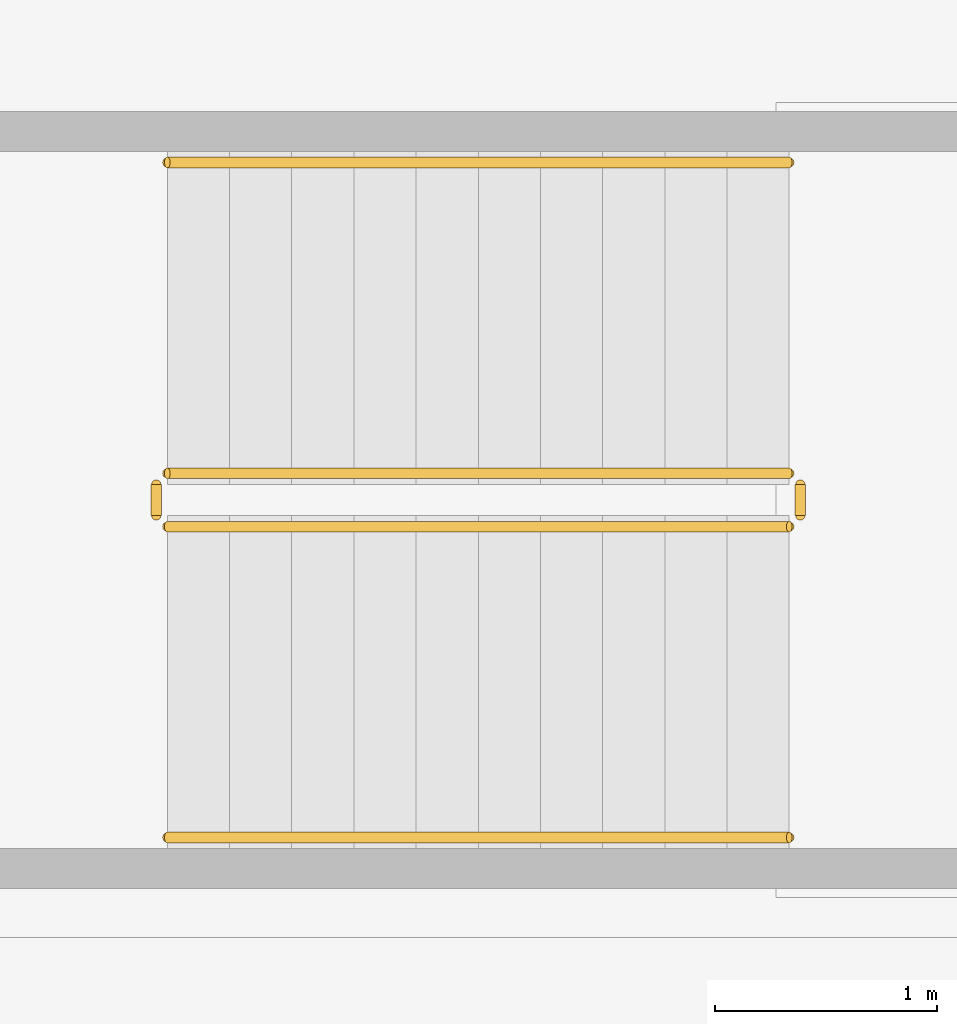
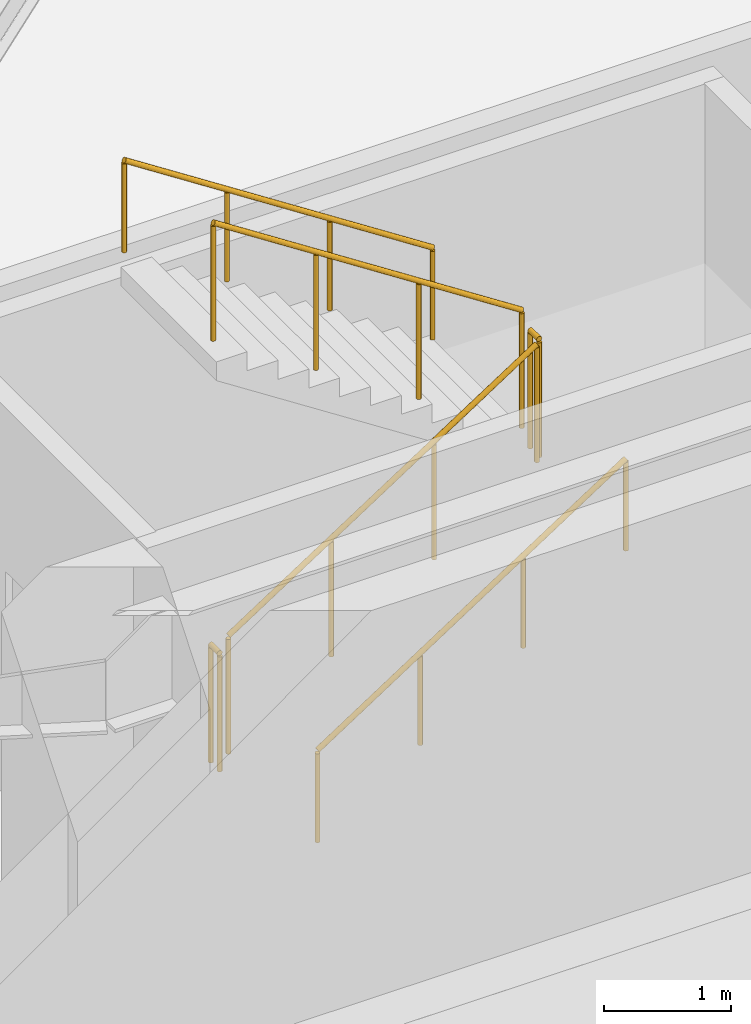
# One storey, part 7 of 10: 6 railings.
"""IFC4 building model written with IfcOpenShell, lengths in metres."""

import ifcopenshell
import ifcopenshell.guid

model = None  # the IFC model being written
_history = None  # IfcOwnerHistory: only IFC2X3 demands one
_inside = {}  # id of a spatial element -> (the spatial element, [elements in it])
_under = {}  # id of a project, library or spatial element -> (it, [spatial elements below it])
_declared = {}  # id of a project -> (the project, [libraries it declares])
_typed = {}  # id of a type object -> (the type object, [elements of that type])
_made_of = {}  # id of a material, layer set ... -> (it, [elements and type objects made of it])


def new_model(schema):
    """Start an empty IFC model of exactly this schema.

    Asked for "IFC4X3", IfcOpenShell would pick the latest addendum, in which some entities
    have other attributes; the version numbers below select the first issue.
    IFC2X3 requires an IfcOwnerHistory on every rooted entity: one is made here for all.
    """
    global model, _history
    if schema == "IFC4X3":
        model = ifcopenshell.file(schema_version=(4, 3, 0, 0))
    else:
        model = ifcopenshell.file(schema=schema)
    _inside.clear()
    _under.clear()
    _declared.clear()
    _typed.clear()
    _made_of.clear()
    _history = None
    if model.schema == "IFC2X3":
        org = make("IfcOrganization", Name="unknown")
        user = make(
            "IfcPersonAndOrganization",
            ThePerson=make("IfcPerson", FamilyName="unknown"),
            TheOrganization=org,
        )
        app = make(
            "IfcApplication",
            ApplicationDeveloper=org,
            Version="unknown",
            ApplicationFullName="unknown",
            ApplicationIdentifier="unknown",
        )
        _history = make(
            "IfcOwnerHistory",
            OwningUser=user,
            OwningApplication=app,
            ChangeAction="ADDED",
            CreationDate=0,
        )
    return model


def make(cls, **values):
    """One entity of the class cls with the attributes given. An attribute that is None is left unset."""
    return model.create_entity(
        cls, **{name: value for name, value in values.items() if value is not None}
    )


def rooted(cls, **values):
    """An entity with a GlobalId (a new one), such as an element, a storey or a relation."""
    return make(cls, GlobalId=ifcopenshell.guid.new(), OwnerHistory=_history, **values)


def si_unit(unit_type, name, prefix=None):
    """IfcSIUnit, for example si_unit("LENGTHUNIT", "METRE", prefix="MILLI")."""
    return make("IfcSIUnit", UnitType=unit_type, Prefix=prefix, Name=name)


def assignment(units):
    """IfcUnitAssignment: the units of a project."""
    return None if units is None else make("IfcUnitAssignment", Units=units)


def point(xyz):
    """IfcCartesianPoint."""
    return None if xyz is None else make("IfcCartesianPoint", Coordinates=xyz)


def direction(xyz):
    """IfcDirection."""
    return None if xyz is None else make("IfcDirection", DirectionRatios=xyz)


def frame(location, z_axis=None, x_axis=None):
    """IfcAxis2Placement3D, a coordinate frame: its origin and axes. An axis left out is left unset."""
    return make(
        "IfcAxis2Placement3D",
        Location=point(location),
        Axis=direction(z_axis),
        RefDirection=direction(x_axis),
    )


def frame_2d(location, x_axis=None):
    """IfcAxis2Placement2D, a coordinate frame in the plane: its origin and x axis."""
    return make(
        "IfcAxis2Placement2D", Location=point(location), RefDirection=direction(x_axis)
    )


def origin():
    """The frame at (0, 0, 0) with its axes left unset."""
    return frame((0.0, 0.0, 0.0))


def origin_2d():
    """The frame at (0, 0) in the plane with its x axis left unset."""
    return frame_2d((0.0, 0.0))


def place(relative_to, where):
    """IfcLocalPlacement: puts the frame where relative to a parent placement (None: the world)."""
    return make(
        "IfcLocalPlacement", PlacementRelTo=relative_to, RelativePlacement=where
    )


def context(
    kind, dimensions, precision=None, world=None, true_north=None, identifier=None
):
    """IfcGeometricRepresentationContext, for example the 3D "Model" context."""
    return make(
        "IfcGeometricRepresentationContext",
        ContextIdentifier=identifier,
        ContextType=kind,
        CoordinateSpaceDimension=dimensions,
        Precision=precision,
        WorldCoordinateSystem=world,
        TrueNorth=true_north,
    )


def subcontext(parent, identifier, kind, view, scale=None):
    """IfcGeometricRepresentationSubContext, for example "Body" below "Model"."""
    return make(
        "IfcGeometricRepresentationSubContext",
        ContextIdentifier=identifier,
        ContextType=kind,
        ParentContext=parent,
        TargetScale=scale,
        TargetView=view,
    )


def project(units=None, contexts=None):
    """IfcProject with its units and contexts."""
    return rooted(
        "IfcProject",
        Name="project",
        RepresentationContexts=contexts,
        UnitsInContext=assignment(units),
    )


def spatial(cls, under=None, at=None, **own):
    """A site, building, storey or space (cls), placed at a placement, below another one or the project."""
    s = rooted(cls, ObjectPlacement=at, **own)
    if under is not None:
        _under.setdefault(under.id(), (under, []))[1].append(s)
    return s


def profile(cls, at=None, kind="AREA", **sizes):
    """A parametric profile (cls). Its sizes go by their IFC names, for example OverallWidth=200.0."""
    return make(cls, ProfileType=kind, Position=at, **sizes)


def circle(**sizes):
    """IfcCircleProfileDef."""
    return profile("IfcCircleProfileDef", **sizes)


def extrude(swept, where, along, depth):
    """IfcExtrudedAreaSolid: the profile swept, set in the frame where, extruded along a direction by depth."""
    return make(
        "IfcExtrudedAreaSolid",
        SweptArea=swept,
        Position=where,
        ExtrudedDirection=direction(along),
        Depth=depth,
    )


def shape(context_of_items, identifier, shape_type, items):
    """IfcShapeRepresentation: the items that make up one representation, for example the "Body"."""
    return make(
        "IfcShapeRepresentation",
        ContextOfItems=context_of_items,
        RepresentationIdentifier=identifier,
        RepresentationType=shape_type,
        Items=items,
    )


def material(Name=None, Category=None):
    """IfcMaterial."""
    return make("IfcMaterial", Name=Name, Category=Category)


def made_of(thing, what):
    """Note that an element or type object is made of a material, layer set ...; save() writes the relation."""
    if what is not None:
        _made_of.setdefault(what.id(), (what, []))[1].append(thing)
    return thing


def type_object(cls, material=None, **own):
    """A type object (cls), such as IfcWallType, which elements share."""
    return made_of(rooted(cls, **own), material)


def element(
    cls,
    number,
    at=None,
    inside=None,
    cuts=None,
    type_object=None,
    material=None,
    context=None,
    identifier="Body",
    shape_type=None,
    held_by="IfcProductDefinitionShape",
    body=None,
    shapes=None,
    **own,
):
    """One element of the class cls, such as IfcWall. Its Tag is "e" and its number.

    at: its placement. inside: the storey or other place that contains it. cuts: it is an
    opening in that element (IfcRelVoidsElement). A single representation is given by context,
    identifier, shape_type and body (its items); several are given by shapes. held_by: the class
    of the entity that holds the representations. save() writes the other relations.
    """
    e = rooted(cls, Tag="e%d" % number, ObjectPlacement=at, **own)
    if body is not None:
        shapes = [shape(context, identifier, shape_type, body)]
    if shapes is not None:
        e.Representation = make(held_by, Representations=shapes)
    if inside is not None:
        _inside.setdefault(inside.id(), (inside, []))[1].append(e)
    if cuts is not None:
        rooted(
            "IfcRelVoidsElement", RelatingBuildingElement=cuts, RelatedOpeningElement=e
        )
    if type_object is not None:
        _typed.setdefault(type_object.id(), (type_object, []))[1].append(e)
    return made_of(e, material)


def aggregate(whole, parts):
    """IfcRelAggregates: a whole, such as a stair, and the parts it consists of."""
    return rooted("IfcRelAggregates", RelatingObject=whole, RelatedObjects=parts)


def save(model, path):
    """Write the relations noted so far, then the file.

    IfcRelAggregates (storeys below a building ...), IfcRelContainedInSpatialStructure (elements
    in a storey), IfcRelDefinesByType, IfcRelAssociatesMaterial and IfcRelDeclares: one each for
    every whole, place, type object, material and project.
    """
    for whole, parts in _under.values():
        aggregate(whole, parts)
    for where, things in _inside.values():
        rooted(
            "IfcRelContainedInSpatialStructure",
            RelatedElements=things,
            RelatingStructure=where,
        )
    for kind, things in _typed.values():
        rooted("IfcRelDefinesByType", RelatedObjects=things, RelatingType=kind)
    for what, things in _made_of.values():
        rooted("IfcRelAssociatesMaterial", RelatedObjects=things, RelatingMaterial=what)
    for by, libraries in _declared.values():
        rooted("IfcRelDeclares", RelatingContext=by, RelatedDefinitions=libraries)
    model.write(path)


model = new_model("IFC4")

# Units and contexts
model_context = context("Model", 3, precision=1e-05, world=origin(), true_north=direction((0.0, 1.0)))
body_context = subcontext(model_context, "Body", "Model", "MODEL_VIEW")
ifc_project = project(units=[si_unit("LENGTHUNIT", "METRE"), si_unit("AREAUNIT", "SQUARE_METRE"), si_unit("VOLUMEUNIT", "CUBIC_METRE"), si_unit("PLANEANGLEUNIT", "RADIAN"), si_unit("MASSUNIT", "GRAM", prefix="KILO")], contexts=[model_context])

# Site, building, storey
site_placement = place(None, origin())
site = spatial("IfcSite", under=ifc_project, at=site_placement, CompositionType="ELEMENT")
building_placement = place(site_placement, origin())
building = spatial("IfcBuilding", under=site, at=building_placement, Name="Cairnveth Concourse Tower", CompositionType="ELEMENT")
storey_placement = place(building_placement, frame((0.0, 0.0, -8.0)))
storey = spatial("IfcBuildingStorey", under=building, at=storey_placement, Name="B02", CompositionType="ELEMENT", Elevation=-8.0)

# Railings
ifc_material = material(Name="Steel Grade 350", Category="steel")
railing_type_1 = type_object("IfcRailingType", Name="STAIR GUARDRAIL 1150", PredefinedType="GUARDRAIL", material=ifc_material)
railing_1_placement = place(storey_placement, frame((32.0, 16.25, 0.181884765625)))
element("IfcRailing", 1, at=railing_1_placement, inside=storey, type_object=railing_type_1, Name="B02 ST-B1 stair guard 1", PredefinedType="GUARDRAIL", context=body_context, shape_type="SweptSolid", body=[
    extrude(circle(Radius=0.02392578125, at=origin_2d()), frame((0.0, 0.0, 1.1259765625), z_axis=(0.838705829183, 0.0, 0.544584733623), x_axis=(0.0, 1.0, 0.0)), (0.0, 0.0, 1.0), 3.338623046875),
    extrude(circle(Radius=0.02099609375, at=origin_2d()), origin(), (0.0, 0.0, 1.0), 1.101806640625),
    extrude(circle(Radius=0.02099609375, at=origin_2d()), frame((0.933349609375, 0.0, 0.60595703125)), (0.0, 0.0, 1.0), 1.101806640625),
    extrude(circle(Radius=0.02099609375, at=origin_2d()), frame((1.86669921875, 0.0, 1.212158203125)), (0.0, 0.0, 1.0), 1.101806640625),
    extrude(circle(Radius=0.02099609375, at=origin_2d()), frame((2.800048828125, 0.0, 1.818115234375)), (0.0, 0.0, 1.0), 1.101806640625),
])
railing_2_placement = place(storey_placement, frame((34.85009765625, 16.300048828125, 2.0)))
element("IfcRailing", 2, at=railing_2_placement, inside=storey, type_object=railing_type_1, Name="B02 ST-B1 stair guard 2", PredefinedType="GUARDRAIL", context=body_context, shape_type="SweptSolid", body=[
    extrude(circle(Radius=0.02392578125, at=origin_2d()), frame((0.0, 0.0, 1.1259765625), z_axis=(0.0, 1.0, 0.0), x_axis=(-1.0, 0.0, 0.0)), (0.0, 0.0, 1.0), 0.139892578125),
    extrude(circle(Radius=0.02099609375, at=origin_2d()), origin(), (0.0, 0.0, 1.0), 1.101806640625),
    extrude(circle(Radius=0.02099609375, at=origin_2d()), frame((0.0, 0.139892578125, 0.0)), (0.0, 0.0, 1.0), 1.101806640625),
])
railing_3_placement = place(storey_placement, frame((34.800048828125, 16.489990234375, 2.181884765625)))
element("IfcRailing", 3, at=railing_3_placement, inside=storey, type_object=railing_type_1, Name="B02 ST-B1 stair guard 3", PredefinedType="GUARDRAIL", context=body_context, shape_type="SweptSolid", body=[
    extrude(circle(Radius=0.02392578125, at=origin_2d()), frame((0.0, 0.0, 1.1259765625), z_axis=(-0.838705829183, 0.0, 0.544584733623), x_axis=(0.0, -1.0, 0.0)), (0.0, 0.0, 1.0), 3.338623046875),
    extrude(circle(Radius=0.02099609375, at=origin_2d()), origin(), (0.0, 0.0, 1.0), 1.101806640625),
    extrude(circle(Radius=0.02099609375, at=origin_2d()), frame((-0.933349609375, 0.0, 0.60595703125)), (0.0, 0.0, 1.0), 1.101806640625),
    extrude(circle(Radius=0.02099609375, at=origin_2d()), frame((-1.86669921875, 0.0, 1.212158203125)), (0.0, 0.0, 1.0), 1.101806640625),
    extrude(circle(Radius=0.02099609375, at=origin_2d()), frame((-2.800048828125, 0.0, 1.818115234375)), (0.0, 0.0, 1.0), 1.101806640625),
])
railing_4_placement = place(storey_placement, frame((31.949951171875, 16.300048828125, 0.0)))
element("IfcRailing", 4, at=railing_4_placement, inside=storey, type_object=railing_type_1, Name="B02 ST-B1 stair guard 4", PredefinedType="GUARDRAIL", context=body_context, shape_type="SweptSolid", body=[
    extrude(circle(Radius=0.02392578125, at=origin_2d()), frame((0.0, 0.0, 1.1259765625), z_axis=(0.0, 1.0, 0.0), x_axis=(-1.0, 0.0, 0.0)), (0.0, 0.0, 1.0), 0.139892578125),
    extrude(circle(Radius=0.02099609375, at=origin_2d()), origin(), (0.0, 0.0, 1.0), 1.101806640625),
    extrude(circle(Radius=0.02099609375, at=origin_2d()), frame((0.0, 0.139892578125, 0.0)), (0.0, 0.0, 1.0), 1.101806640625),
])
railing_type_2 = type_object("IfcRailingType", Name="STAIR WALL HANDRAIL 900", PredefinedType="HANDRAIL", material=ifc_material)
railing_5_placement = place(storey_placement, frame((32.0, 14.85009765625, 0.181884765625)))
element("IfcRailing", 5, at=railing_5_placement, inside=storey, type_object=railing_type_2, Name="B02 ST-B1 stair handrail 1", PredefinedType="HANDRAIL", context=body_context, shape_type="SweptSolid", body=[
    extrude(circle(Radius=0.02392578125, at=origin_2d()), frame((0.0, 0.0, 0.8759765625), z_axis=(0.838705829183, 0.0, 0.544584733623), x_axis=(0.0, 1.0, 0.0)), (0.0, 0.0, 1.0), 3.338623046875),
    extrude(circle(Radius=0.02099609375, at=origin_2d()), origin(), (0.0, 0.0, 1.0), 0.851806640625),
    extrude(circle(Radius=0.02099609375, at=origin_2d()), frame((0.933349609375, 0.0, 0.60595703125)), (0.0, 0.0, 1.0), 0.851806640625),
    extrude(circle(Radius=0.02099609375, at=origin_2d()), frame((1.86669921875, 0.0, 1.212158203125)), (0.0, 0.0, 1.0), 0.851806640625),
    extrude(circle(Radius=0.02099609375, at=origin_2d()), frame((2.800048828125, 0.0, 1.818115234375)), (0.0, 0.0, 1.0), 0.851806640625),
])
railing_6_placement = place(storey_placement, frame((34.800048828125, 17.889892578125, 2.181884765625)))
element("IfcRailing", 6, at=railing_6_placement, inside=storey, type_object=railing_type_2, Name="B02 ST-B1 stair handrail 2", PredefinedType="HANDRAIL", context=body_context, shape_type="SweptSolid", body=[
    extrude(circle(Radius=0.02392578125, at=origin_2d()), frame((0.0, 0.0, 0.8759765625), z_axis=(-0.838705829183, 0.0, 0.544584733623), x_axis=(0.0, -1.0, 0.0)), (0.0, 0.0, 1.0), 3.338623046875),
    extrude(circle(Radius=0.02099609375, at=origin_2d()), origin(), (0.0, 0.0, 1.0), 0.851806640625),
    extrude(circle(Radius=0.02099609375, at=origin_2d()), frame((-0.933349609375, 0.0, 0.60595703125)), (0.0, 0.0, 1.0), 0.851806640625),
    extrude(circle(Radius=0.02099609375, at=origin_2d()), frame((-1.86669921875, 0.0, 1.212158203125)), (0.0, 0.0, 1.0), 0.851806640625),
    extrude(circle(Radius=0.02099609375, at=origin_2d()), frame((-2.800048828125, 0.0, 1.818115234375)), (0.0, 0.0, 1.0), 0.851806640625),
])

save(model, "model.ifc")
